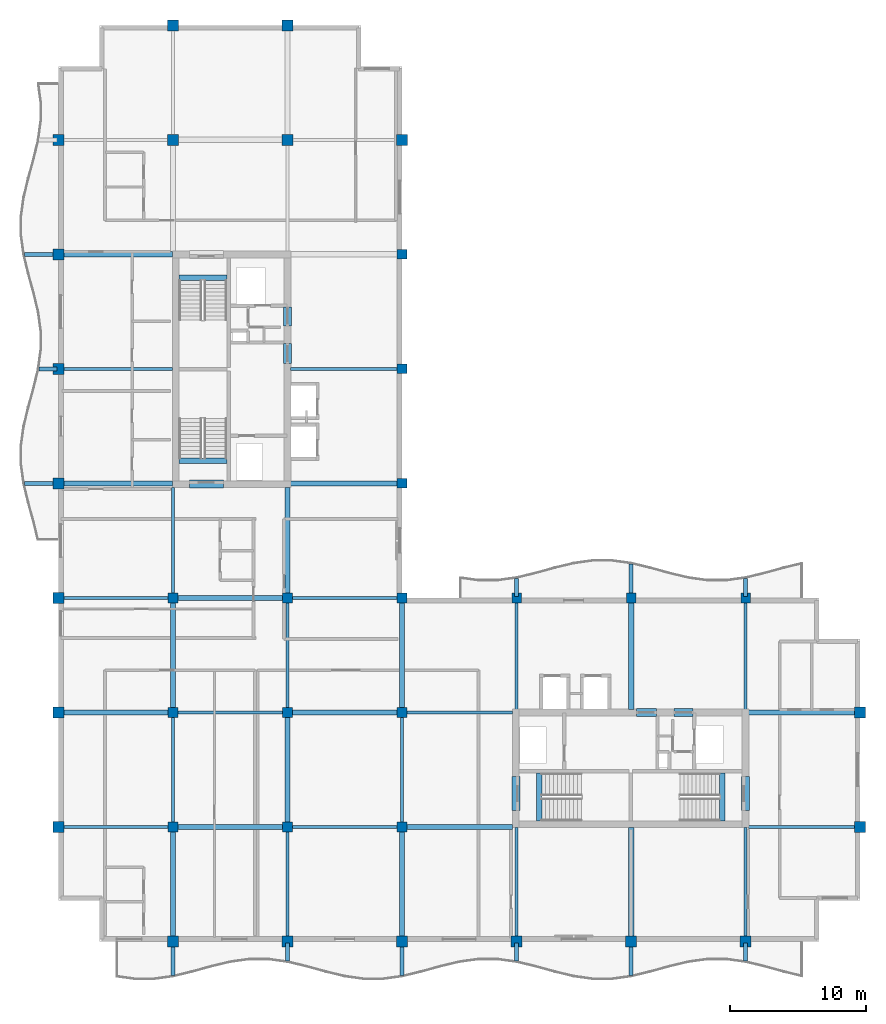
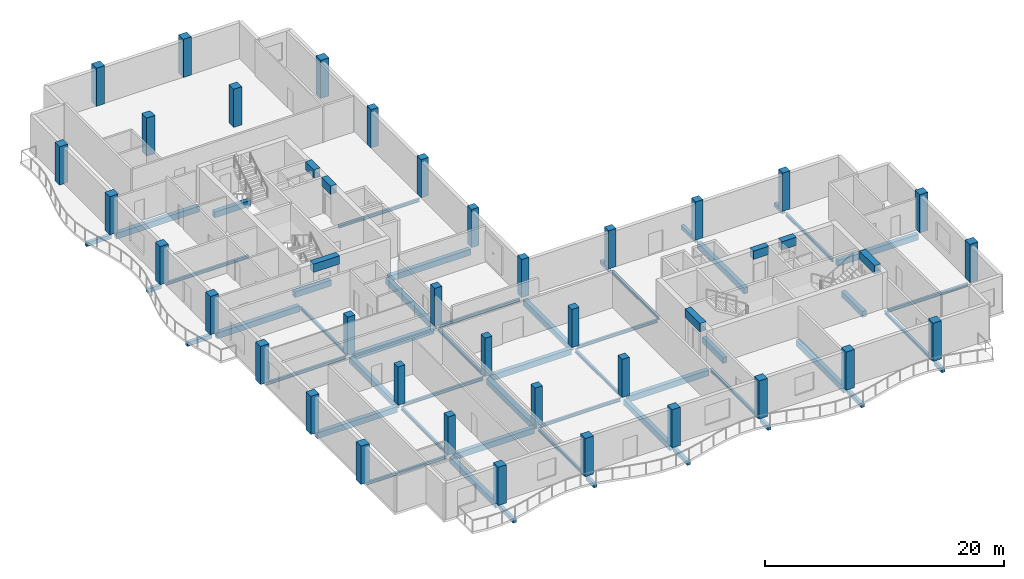
# One storey, part 1 of 11: 58 beams, 35 columns.
"""IFC4 building model written with IfcOpenShell, lengths in metres."""

import ifcopenshell
import ifcopenshell.guid

model = None  # the IFC model being written
_history = None  # IfcOwnerHistory: only IFC2X3 demands one
_inside = {}  # id of a spatial element -> (the spatial element, [elements in it])
_under = {}  # id of a project, library or spatial element -> (it, [spatial elements below it])
_declared = {}  # id of a project -> (the project, [libraries it declares])
_typed = {}  # id of a type object -> (the type object, [elements of that type])
_made_of = {}  # id of a material, layer set ... -> (it, [elements and type objects made of it])


def new_model(schema):
    """Start an empty IFC model of exactly this schema.

    Asked for "IFC4X3", IfcOpenShell would pick the latest addendum, in which some entities
    have other attributes; the version numbers below select the first issue.
    IFC2X3 requires an IfcOwnerHistory on every rooted entity: one is made here for all.
    """
    global model, _history
    if schema == "IFC4X3":
        model = ifcopenshell.file(schema_version=(4, 3, 0, 0))
    else:
        model = ifcopenshell.file(schema=schema)
    _inside.clear()
    _under.clear()
    _declared.clear()
    _typed.clear()
    _made_of.clear()
    _history = None
    if model.schema == "IFC2X3":
        org = make("IfcOrganization", Name="unknown")
        user = make(
            "IfcPersonAndOrganization",
            ThePerson=make("IfcPerson", FamilyName="unknown"),
            TheOrganization=org,
        )
        app = make(
            "IfcApplication",
            ApplicationDeveloper=org,
            Version="unknown",
            ApplicationFullName="unknown",
            ApplicationIdentifier="unknown",
        )
        _history = make(
            "IfcOwnerHistory",
            OwningUser=user,
            OwningApplication=app,
            ChangeAction="ADDED",
            CreationDate=0,
        )
    return model


def make(cls, **values):
    """One entity of the class cls with the attributes given. An attribute that is None is left unset."""
    return model.create_entity(
        cls, **{name: value for name, value in values.items() if value is not None}
    )


def rooted(cls, **values):
    """An entity with a GlobalId (a new one), such as an element, a storey or a relation."""
    return make(cls, GlobalId=ifcopenshell.guid.new(), OwnerHistory=_history, **values)


def si_unit(unit_type, name, prefix=None):
    """IfcSIUnit, for example si_unit("LENGTHUNIT", "METRE", prefix="MILLI")."""
    return make("IfcSIUnit", UnitType=unit_type, Prefix=prefix, Name=name)


def assignment(units):
    """IfcUnitAssignment: the units of a project."""
    return None if units is None else make("IfcUnitAssignment", Units=units)


def point(xyz):
    """IfcCartesianPoint."""
    return None if xyz is None else make("IfcCartesianPoint", Coordinates=xyz)


def direction(xyz):
    """IfcDirection."""
    return None if xyz is None else make("IfcDirection", DirectionRatios=xyz)


def frame(location, z_axis=None, x_axis=None):
    """IfcAxis2Placement3D, a coordinate frame: its origin and axes. An axis left out is left unset."""
    return make(
        "IfcAxis2Placement3D",
        Location=point(location),
        Axis=direction(z_axis),
        RefDirection=direction(x_axis),
    )


def frame_2d(location, x_axis=None):
    """IfcAxis2Placement2D, a coordinate frame in the plane: its origin and x axis."""
    return make(
        "IfcAxis2Placement2D", Location=point(location), RefDirection=direction(x_axis)
    )


def origin():
    """The frame at (0, 0, 0) with its axes left unset."""
    return frame((0.0, 0.0, 0.0))


def origin_2d():
    """The frame at (0, 0) in the plane with its x axis left unset."""
    return frame_2d((0.0, 0.0))


def place(relative_to, where):
    """IfcLocalPlacement: puts the frame where relative to a parent placement (None: the world)."""
    return make(
        "IfcLocalPlacement", PlacementRelTo=relative_to, RelativePlacement=where
    )


def context(
    kind, dimensions, precision=None, world=None, true_north=None, identifier=None
):
    """IfcGeometricRepresentationContext, for example the 3D "Model" context."""
    return make(
        "IfcGeometricRepresentationContext",
        ContextIdentifier=identifier,
        ContextType=kind,
        CoordinateSpaceDimension=dimensions,
        Precision=precision,
        WorldCoordinateSystem=world,
        TrueNorth=true_north,
    )


def subcontext(parent, identifier, kind, view, scale=None):
    """IfcGeometricRepresentationSubContext, for example "Body" below "Model"."""
    return make(
        "IfcGeometricRepresentationSubContext",
        ContextIdentifier=identifier,
        ContextType=kind,
        ParentContext=parent,
        TargetScale=scale,
        TargetView=view,
    )


def project(units=None, contexts=None):
    """IfcProject with its units and contexts."""
    return rooted(
        "IfcProject",
        Name="project",
        RepresentationContexts=contexts,
        UnitsInContext=assignment(units),
    )


def spatial(cls, under=None, at=None, **own):
    """A site, building, storey or space (cls), placed at a placement, below another one or the project."""
    s = rooted(cls, ObjectPlacement=at, **own)
    if under is not None:
        _under.setdefault(under.id(), (under, []))[1].append(s)
    return s


def profile(cls, at=None, kind="AREA", **sizes):
    """A parametric profile (cls). Its sizes go by their IFC names, for example OverallWidth=200.0."""
    return make(cls, ProfileType=kind, Position=at, **sizes)


def rectangle(**sizes):
    """IfcRectangleProfileDef."""
    return profile("IfcRectangleProfileDef", **sizes)


def i_section(**sizes):
    """IfcIShapeProfileDef."""
    return profile("IfcIShapeProfileDef", **sizes)


def extrude(swept, where, along, depth):
    """IfcExtrudedAreaSolid: the profile swept, set in the frame where, extruded along a direction by depth."""
    return make(
        "IfcExtrudedAreaSolid",
        SweptArea=swept,
        Position=where,
        ExtrudedDirection=direction(along),
        Depth=depth,
    )


def shape(context_of_items, identifier, shape_type, items):
    """IfcShapeRepresentation: the items that make up one representation, for example the "Body"."""
    return make(
        "IfcShapeRepresentation",
        ContextOfItems=context_of_items,
        RepresentationIdentifier=identifier,
        RepresentationType=shape_type,
        Items=items,
    )


def material(Name=None, Category=None):
    """IfcMaterial."""
    return make("IfcMaterial", Name=Name, Category=Category)


def material_profile(
    of_material, cross_section, Name=None, Category=None, Priority=None
):
    """IfcMaterialProfile: a cross section and its material."""
    return make(
        "IfcMaterialProfile",
        Name=Name,
        Material=of_material,
        Profile=cross_section,
        Priority=Priority,
        Category=Category,
    )


def profile_set(profiles, Name=None, composite=None):
    """IfcMaterialProfileSet."""
    return make(
        "IfcMaterialProfileSet",
        Name=Name,
        MaterialProfiles=profiles,
        CompositeProfile=composite,
    )


def made_of(thing, what):
    """Note that an element or type object is made of a material, layer set ...; save() writes the relation."""
    if what is not None:
        _made_of.setdefault(what.id(), (what, []))[1].append(thing)
    return thing


def type_object(cls, material=None, **own):
    """A type object (cls), such as IfcWallType, which elements share."""
    return made_of(rooted(cls, **own), material)


def element(
    cls,
    number,
    at=None,
    inside=None,
    cuts=None,
    type_object=None,
    material=None,
    context=None,
    identifier="Body",
    shape_type=None,
    held_by="IfcProductDefinitionShape",
    body=None,
    shapes=None,
    **own,
):
    """One element of the class cls, such as IfcWall. Its Tag is "e" and its number.

    at: its placement. inside: the storey or other place that contains it. cuts: it is an
    opening in that element (IfcRelVoidsElement). A single representation is given by context,
    identifier, shape_type and body (its items); several are given by shapes. held_by: the class
    of the entity that holds the representations. save() writes the other relations.
    """
    e = rooted(cls, Tag="e%d" % number, ObjectPlacement=at, **own)
    if body is not None:
        shapes = [shape(context, identifier, shape_type, body)]
    if shapes is not None:
        e.Representation = make(held_by, Representations=shapes)
    if inside is not None:
        _inside.setdefault(inside.id(), (inside, []))[1].append(e)
    if cuts is not None:
        rooted(
            "IfcRelVoidsElement", RelatingBuildingElement=cuts, RelatedOpeningElement=e
        )
    if type_object is not None:
        _typed.setdefault(type_object.id(), (type_object, []))[1].append(e)
    return made_of(e, material)


def aggregate(whole, parts):
    """IfcRelAggregates: a whole, such as a stair, and the parts it consists of."""
    return rooted("IfcRelAggregates", RelatingObject=whole, RelatedObjects=parts)


def save(model, path):
    """Write the relations noted so far, then the file.

    IfcRelAggregates (storeys below a building ...), IfcRelContainedInSpatialStructure (elements
    in a storey), IfcRelDefinesByType, IfcRelAssociatesMaterial and IfcRelDeclares: one each for
    every whole, place, type object, material and project.
    """
    for whole, parts in _under.values():
        aggregate(whole, parts)
    for where, things in _inside.values():
        rooted(
            "IfcRelContainedInSpatialStructure",
            RelatedElements=things,
            RelatingStructure=where,
        )
    for kind, things in _typed.values():
        rooted("IfcRelDefinesByType", RelatedObjects=things, RelatingType=kind)
    for what, things in _made_of.values():
        rooted("IfcRelAssociatesMaterial", RelatedObjects=things, RelatingMaterial=what)
    for by, libraries in _declared.values():
        rooted("IfcRelDeclares", RelatingContext=by, RelatedDefinitions=libraries)
    model.write(path)


model = new_model("IFC4")

# Units and contexts
model_context = context("Model", 3, precision=1e-05, world=origin(), true_north=direction((0.0, 1.0)))
body_context = subcontext(model_context, "Body", "Model", "MODEL_VIEW")
ifc_project = project(units=[si_unit("LENGTHUNIT", "METRE"), si_unit("AREAUNIT", "SQUARE_METRE"), si_unit("VOLUMEUNIT", "CUBIC_METRE"), si_unit("PLANEANGLEUNIT", "RADIAN"), si_unit("MASSUNIT", "GRAM", prefix="KILO")], contexts=[model_context])

# Site, building, storey
site_placement = place(None, origin())
site = spatial("IfcSite", under=ifc_project, at=site_placement, CompositionType="ELEMENT")
building_placement = place(site_placement, origin())
building = spatial("IfcBuilding", under=site, at=building_placement, Name="Koriwani Terraces Tower", CompositionType="ELEMENT")
storey_placement = place(building_placement, frame((0.0, 0.0, 335.89990234375)))
storey = spatial("IfcBuildingStorey", under=building, at=storey_placement, Name="L83", CompositionType="ELEMENT", Elevation=335.89990234375)

# Columns
ifc_material_1 = material(Name="Concrete C50/60", Category="concrete")
ifc_material_profile_1 = material_profile(ifc_material_1, rectangle(XDim=0.699951171875, YDim=0.699951171875, at=origin_2d()), Name="Concrete C50/60", Category="LoadBearing")
ifc_profile_set_1 = profile_set([ifc_material_profile_1], Name="Concrete C50/60")
column_type_1 = type_object("IfcColumnType", Name="COL_RC_700X700", PredefinedType="COLUMN", material=ifc_profile_set_1)
for number, where, z_axis, x_axis, name in (
    (1, (16.800048828125, 16.800048828125, 0.0), (0.0, 0.0, 1.0), (1.0, 0.0, 0.0), "L83 Column 3/C"),
    (2, (16.800048828125, 25.199951171875, 0.0), (0.0, 0.0, 1.0), (1.0, 0.0, 0.0), "L83 Column 3/D"),
    (3, (16.800048828125, 33.60009765625, 0.0), (0.0, 0.0, 1.0), (1.0, 0.0, 0.0), "L83 Column 3/E"),
    (4, (25.199951171875, 16.800048828125, 0.0), (0.0, 0.0, 1.0), (1.0, 0.0, 0.0), "L83 Column 4/C"),
    (5, (25.199951171875, 25.199951171875, 0.0), (0.0, 0.0, 1.0), (1.0, 0.0, 0.0), "L83 Column 4/D"),
    (6, (25.199951171875, 33.60009765625, 0.0), (0.0, 0.0, 1.0), (1.0, 0.0, 0.0), "L83 Column 4/E"),
    (7, (33.60009765625, 16.800048828125, 0.0), (0.0, 0.0, 1.0), (1.0, 0.0, 0.0), "L83 Column 5/C"),
    (8, (33.60009765625, 25.199951171875, 0.0), (0.0, 0.0, 1.0), (1.0, 0.0, 0.0), "L83 Column 5/D"),
    (9, (33.60009765625, 33.60009765625, 0.0), (0.0, 0.0, 1.0), (1.0, 0.0, 0.0), "L83 Column 5/E"),
    (10, (33.60009765625, 42.0, 0.0), (0.0, 0.0, 1.0), (1.0, 0.0, 0.0), "L83 Column 5/F"),
    (11, (33.60009765625, 50.39990234375, 0.0), (0.0, 0.0, 1.0), (1.0, 0.0, 0.0), "L83 Column 5/G"),
    (12, (33.60009765625, 58.800048828125, 0.0), (0.0, 0.0, 1.0), (1.0, 0.0, 0.0), "L83 Column 5/H"),
    (13, (42.0, 33.60009765625, 0.0), (0.0, 0.0, 1.0), (1.0, 0.0, 0.0), "L83 Column 6/E"),
    (14, (50.39990234375, 33.60009765625, 0.0), (0.0, 0.0, 1.0), (1.0, 0.0, 0.0), "L83 Column 7/E"),
    (15, (58.800048828125, 33.60009765625, 0.0), (0.0, 0.0, 1.0), (1.0, 0.0, 0.0), "L83 Column 8/E"),
):
    element("IfcColumn", number, at=place(storey_placement, frame(where, z_axis=z_axis, x_axis=x_axis)), inside=storey, type_object=column_type_1, Name=name, PredefinedType="COLUMN", context=body_context, shape_type="SweptSolid", body=[
        extrude(rectangle(XDim=0.699951171875, YDim=0.699951171875, at=origin_2d()), origin(), (0.0, 0.0, 1.0), 3.900146484375),
    ])
ifc_material_profile_2 = material_profile(ifc_material_1, rectangle(XDim=0.800048828125, YDim=0.800048828125, at=origin_2d()), Name="Concrete C50/60", Category="LoadBearing")
ifc_profile_set_2 = profile_set([ifc_material_profile_2], Name="Concrete C50/60")
column_type_2 = type_object("IfcColumnType", Name="COL_RC_800X800", PredefinedType="COLUMN", material=ifc_profile_set_2)
for number, where, z_axis, x_axis, name in (
    (16, (8.39990234375, 16.800048828125, 0.0), (0.0, 0.0, 1.0), (1.0, 0.0, 0.0), "L83 Column 2/C"),
    (17, (8.39990234375, 25.199951171875, 0.0), (0.0, 0.0, 1.0), (1.0, 0.0, 0.0), "L83 Column 2/D"),
    (18, (8.39990234375, 33.60009765625, 0.0), (0.0, 0.0, 1.0), (1.0, 0.0, 0.0), "L83 Column 2/E"),
    (19, (8.39990234375, 42.0, 0.0), (0.0, 0.0, 1.0), (1.0, 0.0, 0.0), "L83 Column 2/F"),
    (20, (8.39990234375, 50.39990234375, 0.0), (0.0, 0.0, 1.0), (1.0, 0.0, 0.0), "L83 Column 2/G"),
    (21, (8.39990234375, 58.800048828125, 0.0), (0.0, 0.0, 1.0), (1.0, 0.0, 0.0), "L83 Column 2/H"),
    (22, (8.39990234375, 67.199951171875, 0.0), (0.0, 0.0, 1.0), (1.0, 0.0, 0.0), "L83 Column 2/I"),
    (23, (16.800048828125, 8.39990234375, 0.0), (0.0, 0.0, 1.0), (1.0, 0.0, 0.0), "L83 Column 3/B"),
    (24, (16.800048828125, 67.199951171875, 0.0), (0.0, 0.0, 1.0), (1.0, 0.0, 0.0), "L83 Column 3/I"),
    (25, (16.800048828125, 75.60009765625, 0.0), (0.0, 0.0, 1.0), (1.0, 0.0, 0.0), "L83 Column 3/J"),
    (26, (25.199951171875, 8.39990234375, 0.0), (0.0, 0.0, 1.0), (1.0, 0.0, 0.0), "L83 Column 4/B"),
    (27, (25.199951171875, 67.199951171875, 0.0), (0.0, 0.0, 1.0), (1.0, 0.0, 0.0), "L83 Column 4/I"),
    (28, (25.199951171875, 75.60009765625, 0.0), (0.0, 0.0, 1.0), (1.0, 0.0, 0.0), "L83 Column 4/J"),
    (29, (33.60009765625, 8.39990234375, 0.0), (0.0, 0.0, 1.0), (1.0, 0.0, 0.0), "L83 Column 5/B"),
    (30, (33.60009765625, 67.199951171875, 0.0), (0.0, 0.0, 1.0), (1.0, 0.0, 0.0), "L83 Column 5/I"),
    (31, (42.0, 8.39990234375, 0.0), (0.0, 0.0, 1.0), (1.0, 0.0, 0.0), "L83 Column 6/B"),
    (32, (50.39990234375, 8.39990234375, 0.0), (0.0, 0.0, 1.0), (1.0, 0.0, 0.0), "L83 Column 7/B"),
    (33, (58.800048828125, 8.39990234375, 0.0), (0.0, 0.0, 1.0), (1.0, 0.0, 0.0), "L83 Column 8/B"),
    (34, (67.199951171875, 16.800048828125, 0.0), (0.0, 0.0, 1.0), (1.0, 0.0, 0.0), "L83 Column 9/C"),
    (35, (67.199951171875, 25.199951171875, 0.0), (0.0, 0.0, 1.0), (1.0, 0.0, 0.0), "L83 Column 9/D"),
):
    element("IfcColumn", number, at=place(storey_placement, frame(where, z_axis=z_axis, x_axis=x_axis)), inside=storey, type_object=column_type_2, Name=name, PredefinedType="COLUMN", context=body_context, shape_type="SweptSolid", body=[
        extrude(rectangle(XDim=0.800048828125, YDim=0.800048828125, at=origin_2d()), origin(), (0.0, 0.0, 1.0), 3.900146484375),
    ])

# Beams
ifc_material_2 = material(Name="Concrete C40/50", Category="concrete")
ifc_material_profile_3 = material_profile(ifc_material_2, rectangle(XDim=0.300048828125, YDim=0.39990234375, at=origin_2d()), Name="Concrete C40/50", Category="LoadBearing")
ifc_profile_set_3 = profile_set([ifc_material_profile_3], Name="Concrete C40/50")
beam_type_1 = type_object("IfcBeamType", Name="BEAM_RC_BALCONY_RIB_300X400", PredefinedType="JOIST", material=ifc_profile_set_3)
beam_1_placement = place(storey_placement, frame((16.800048828125, 5.919677734375, -0.429931640625), z_axis=(0.0, 1.0, 0.0), x_axis=(-1.0, 0.0, 0.0)))
element("IfcBeam", 36, at=beam_1_placement, inside=storey, type_object=beam_type_1, Name="L83 Balcony Bracket Rib S-1", PredefinedType="JOIST", context=body_context, shape_type="SweptSolid", body=[
    extrude(rectangle(XDim=0.300048828125, YDim=0.39990234375, at=origin_2d()), origin(), (0.0, 0.0, 1.0), 2.38037109375),
])
beam_2_placement = place(storey_placement, frame((25.199951171875, 6.980224609375, -0.429931640625), z_axis=(0.0, 1.0, 0.0), x_axis=(-1.0, 0.0, 0.0)))
element("IfcBeam", 37, at=beam_2_placement, inside=storey, type_object=beam_type_1, Name="L83 Balcony Bracket Rib S-2", PredefinedType="JOIST", context=body_context, shape_type="SweptSolid", body=[
    extrude(rectangle(XDim=0.300048828125, YDim=0.39990234375, at=origin_2d()), origin(), (0.0, 0.0, 1.0), 1.31982421875),
])
beam_3_placement = place(storey_placement, frame((33.60009765625, 5.919677734375, -0.429931640625), z_axis=(0.0, 1.0, 0.0), x_axis=(-1.0, 0.0, 0.0)))
element("IfcBeam", 38, at=beam_3_placement, inside=storey, type_object=beam_type_1, Name="L83 Balcony Bracket Rib S-3", PredefinedType="JOIST", context=body_context, shape_type="SweptSolid", body=[
    extrude(rectangle(XDim=0.300048828125, YDim=0.39990234375, at=origin_2d()), origin(), (0.0, 0.0, 1.0), 2.38037109375),
])
beam_4_placement = place(storey_placement, frame((42.0, 6.980224609375, -0.429931640625), z_axis=(0.0, 1.0, 0.0), x_axis=(-1.0, 0.0, 0.0)))
element("IfcBeam", 39, at=beam_4_placement, inside=storey, type_object=beam_type_1, Name="L83 Balcony Bracket Rib S-4", PredefinedType="JOIST", context=body_context, shape_type="SweptSolid", body=[
    extrude(rectangle(XDim=0.300048828125, YDim=0.39990234375, at=origin_2d()), origin(), (0.0, 0.0, 1.0), 1.31982421875),
])
beam_5_placement = place(storey_placement, frame((50.39990234375, 5.919677734375, -0.429931640625), z_axis=(0.0, 1.0, 0.0), x_axis=(-1.0, 0.0, 0.0)))
element("IfcBeam", 40, at=beam_5_placement, inside=storey, type_object=beam_type_1, Name="L83 Balcony Bracket Rib S-5", PredefinedType="JOIST", context=body_context, shape_type="SweptSolid", body=[
    extrude(rectangle(XDim=0.300048828125, YDim=0.39990234375, at=origin_2d()), origin(), (0.0, 0.0, 1.0), 2.38037109375),
])
beam_6_placement = place(storey_placement, frame((58.800048828125, 6.980224609375, -0.429931640625), z_axis=(0.0, 1.0, 0.0), x_axis=(-1.0, 0.0, 0.0)))
element("IfcBeam", 41, at=beam_6_placement, inside=storey, type_object=beam_type_1, Name="L83 Balcony Bracket Rib S-6", PredefinedType="JOIST", context=body_context, shape_type="SweptSolid", body=[
    extrude(rectangle(XDim=0.300048828125, YDim=0.39990234375, at=origin_2d()), origin(), (0.0, 0.0, 1.0), 1.31982421875),
])
beam_7_placement = place(storey_placement, frame((5.919677734375, 42.0, -0.429931640625), z_axis=(1.0, 0.0, 0.0), x_axis=(0.0, 1.0, 0.0)))
element("IfcBeam", 42, at=beam_7_placement, inside=storey, type_object=beam_type_1, Name="L83 Balcony Bracket Rib W-1", PredefinedType="JOIST", context=body_context, shape_type="SweptSolid", body=[
    extrude(rectangle(XDim=0.300048828125, YDim=0.39990234375, at=origin_2d()), origin(), (0.0, 0.0, 1.0), 2.38037109375),
])
beam_8_placement = place(storey_placement, frame((6.980224609375, 50.39990234375, -0.429931640625), z_axis=(1.0, 0.0, 0.0), x_axis=(0.0, 1.0, 0.0)))
element("IfcBeam", 43, at=beam_8_placement, inside=storey, type_object=beam_type_1, Name="L83 Balcony Bracket Rib W-2", PredefinedType="JOIST", context=body_context, shape_type="SweptSolid", body=[
    extrude(rectangle(XDim=0.300048828125, YDim=0.39990234375, at=origin_2d()), origin(), (0.0, 0.0, 1.0), 1.31982421875),
])
beam_9_placement = place(storey_placement, frame((5.919677734375, 58.800048828125, -0.429931640625), z_axis=(1.0, 0.0, 0.0), x_axis=(0.0, 1.0, 0.0)))
element("IfcBeam", 44, at=beam_9_placement, inside=storey, type_object=beam_type_1, Name="L83 Balcony Bracket Rib W-3", PredefinedType="JOIST", context=body_context, shape_type="SweptSolid", body=[
    extrude(rectangle(XDim=0.300048828125, YDim=0.39990234375, at=origin_2d()), origin(), (0.0, 0.0, 1.0), 2.38037109375),
])
beam_10_placement = place(storey_placement, frame((42.0, 33.699951171875, -0.429931640625), z_axis=(0.0, 1.0, 0.0), x_axis=(-1.0, 0.0, 0.0)))
element("IfcBeam", 45, at=beam_10_placement, inside=storey, type_object=beam_type_1, Name="L83 Balcony Bracket Rib NE-1", PredefinedType="JOIST", context=body_context, shape_type="SweptSolid", body=[
    extrude(rectangle(XDim=0.300048828125, YDim=0.39990234375, at=origin_2d()), origin(), (0.0, 0.0, 1.0), 1.31982421875),
])
beam_11_placement = place(storey_placement, frame((50.39990234375, 33.699951171875, -0.429931640625), z_axis=(0.0, 1.0, 0.0), x_axis=(-1.0, 0.0, 0.0)))
element("IfcBeam", 46, at=beam_11_placement, inside=storey, type_object=beam_type_1, Name="L83 Balcony Bracket Rib NE-2", PredefinedType="JOIST", context=body_context, shape_type="SweptSolid", body=[
    extrude(rectangle(XDim=0.300048828125, YDim=0.39990234375, at=origin_2d()), origin(), (0.0, 0.0, 1.0), 2.38037109375),
])
beam_12_placement = place(storey_placement, frame((58.800048828125, 33.699951171875, -0.429931640625), z_axis=(0.0, 1.0, 0.0), x_axis=(-1.0, 0.0, 0.0)))
element("IfcBeam", 47, at=beam_12_placement, inside=storey, type_object=beam_type_1, Name="L83 Balcony Bracket Rib NE-3", PredefinedType="JOIST", context=body_context, shape_type="SweptSolid", body=[
    extrude(rectangle(XDim=0.300048828125, YDim=0.39990234375, at=origin_2d()), origin(), (0.0, 0.0, 1.0), 1.31982421875),
])
ifc_material_profile_4 = material_profile(ifc_material_1, rectangle(XDim=0.60009765625, YDim=0.85009765625, at=origin_2d()), Name="Concrete C50/60", Category="LoadBearing")
ifc_profile_set_4 = profile_set([ifc_material_profile_4], Name="Concrete C50/60")
beam_type_2 = type_object("IfcBeamType", Name="BEAM_RC_COUPLING_600X850", PredefinedType="LINTEL", material=ifc_profile_set_4)
beam_13_placement = place(storey_placement, frame((25.199951171875, 50.800048828125, 3.2451171875), z_axis=(0.0, 1.0, 0.0), x_axis=(-1.0, 0.0, 0.0)))
element("IfcBeam", 48, at=beam_13_placement, inside=storey, type_object=beam_type_2, Name="L83 Core Coupling Lintel Beam WE1", PredefinedType="LINTEL", context=body_context, shape_type="SweptSolid", body=[
    extrude(rectangle(XDim=0.60009765625, YDim=0.85009765625, at=origin_2d()), origin(), (0.0, 0.0, 1.0), 1.47998046875),
])
beam_14_placement = place(storey_placement, frame((25.199951171875, 53.550048828125, 3.2451171875), z_axis=(0.0, 1.0, 0.0), x_axis=(-1.0, 0.0, 0.0)))
element("IfcBeam", 49, at=beam_14_placement, inside=storey, type_object=beam_type_2, Name="L83 Core Coupling Lintel Beam WE2", PredefinedType="LINTEL", context=body_context, shape_type="SweptSolid", body=[
    extrude(rectangle(XDim=0.60009765625, YDim=0.85009765625, at=origin_2d()), origin(), (0.0, 0.0, 1.0), 1.39990234375),
])
beam_15_placement = place(storey_placement, frame((18.0, 41.949951171875, 3.2451171875), z_axis=(1.0, 0.0, 0.0), x_axis=(0.0, 1.0, 0.0)))
element("IfcBeam", 50, at=beam_15_placement, inside=storey, type_object=beam_type_2, Name="L83 Core Coupling Lintel Beam WS", PredefinedType="LINTEL", context=body_context, shape_type="SweptSolid", body=[
    extrude(rectangle(XDim=0.60009765625, YDim=0.85009765625, at=origin_2d()), origin(), (0.0, 0.0, 1.0), 2.5),
])
beam_16_placement = place(storey_placement, frame((50.800048828125, 25.199951171875, 3.2451171875), z_axis=(1.0, 0.0, 0.0), x_axis=(0.0, 1.0, 0.0)))
element("IfcBeam", 51, at=beam_16_placement, inside=storey, type_object=beam_type_2, Name="L83 Core Coupling Lintel Beam EN1", PredefinedType="LINTEL", context=body_context, shape_type="SweptSolid", body=[
    extrude(rectangle(XDim=0.60009765625, YDim=0.85009765625, at=origin_2d()), origin(), (0.0, 0.0, 1.0), 1.47998046875),
])
beam_17_placement = place(storey_placement, frame((53.550048828125, 25.199951171875, 3.2451171875), z_axis=(1.0, 0.0, 0.0), x_axis=(0.0, 1.0, 0.0)))
element("IfcBeam", 52, at=beam_17_placement, inside=storey, type_object=beam_type_2, Name="L83 Core Coupling Lintel Beam EN2", PredefinedType="LINTEL", context=body_context, shape_type="SweptSolid", body=[
    extrude(rectangle(XDim=0.60009765625, YDim=0.85009765625, at=origin_2d()), origin(), (0.0, 0.0, 1.0), 1.39990234375),
])
for number, where, z_axis, x_axis, name in (
    (53, (41.949951171875, 18.0, 3.2451171875), (0.0, 1.0, 0.0), (-1.0, 0.0, 0.0), "L83 Core Coupling Lintel Beam EW"),
    (54, (58.800048828125, 18.0, 3.2451171875), (0.0, 1.0, 0.0), (-1.0, 0.0, 0.0), "L83 Core Coupling Lintel Beam EE"),
):
    element("IfcBeam", number, at=place(storey_placement, frame(where, z_axis=z_axis, x_axis=x_axis)), inside=storey, type_object=beam_type_2, Name=name, PredefinedType="LINTEL", context=body_context, shape_type="SweptSolid", body=[
        extrude(rectangle(XDim=0.60009765625, YDim=0.85009765625, at=origin_2d()), origin(), (0.0, 0.0, 1.0), 2.5),
    ])
ifc_material_profile_5 = material_profile(ifc_material_2, rectangle(XDim=0.39990234375, YDim=0.60009765625, at=origin_2d()), Name="Concrete C40/50", Category="LoadBearing")
ifc_profile_set_5 = profile_set([ifc_material_profile_5], Name="Concrete C40/50")
beam_type_3 = type_object("IfcBeamType", Name="BEAM_RC_GRID_400X600", PredefinedType="BEAM", material=ifc_profile_set_5)
for number, where, z_axis, x_axis, name in (
    (55, (17.25, 43.655029296875, -0.2998046875), (1.0, 0.0, 0.0), (0.0, 1.0, 0.0), "L83 Stairwell Header Trimmer Beam ST-W1"),
    (56, (17.25, 57.094970703125, -0.2998046875), (1.0, 0.0, 0.0), (0.0, 1.0, 0.0), "L83 Stairwell Header Trimmer Beam ST-W2"),
    (57, (43.655029296875, 17.25, -0.2998046875), (0.0, 1.0, 0.0), (-1.0, 0.0, 0.0), "L83 Stairwell Header Trimmer Beam ST-E1"),
    (58, (57.094970703125, 17.25, -0.2998046875), (0.0, 1.0, 0.0), (-1.0, 0.0, 0.0), "L83 Stairwell Header Trimmer Beam ST-E2"),
):
    element("IfcBeam", number, at=place(storey_placement, frame(where, z_axis=z_axis, x_axis=x_axis)), inside=storey, type_object=beam_type_3, Name=name, PredefinedType="BEAM", context=body_context, shape_type="SweptSolid", body=[
        extrude(rectangle(XDim=0.39990234375, YDim=0.60009765625, at=origin_2d()), origin(), (0.0, 0.0, 1.0), 3.5),
    ])
beam_18_placement = place(storey_placement, frame((17.1298828125, 16.800048828125, -0.52978515625), z_axis=(1.0, 0.0, 0.0), x_axis=(0.0, 1.0, 0.0)))
element("IfcBeam", 59, at=beam_18_placement, inside=storey, type_object=beam_type_3, Name="L83 Grid Beam C (16.8-25.2m)", PredefinedType="BEAM", context=body_context, shape_type="SweptSolid", body=[
    extrude(rectangle(XDim=0.39990234375, YDim=0.60009765625, at=origin_2d()), origin(), (0.0, 0.0, 1.0), 7.740234375),
])
beam_19_placement = place(storey_placement, frame((33.929931640625, 16.800048828125, -0.52978515625), z_axis=(1.0, 0.0, 0.0), x_axis=(0.0, 1.0, 0.0)))
element("IfcBeam", 60, at=beam_19_placement, inside=storey, type_object=beam_type_3, Name="L83 Grid Beam C (33.6-42.0m)", PredefinedType="BEAM", context=body_context, shape_type="SweptSolid", body=[
    extrude(rectangle(XDim=0.39990234375, YDim=0.60009765625, at=origin_2d()), origin(), (0.0, 0.0, 1.0), 7.7900390625),
])
beam_20_placement = place(storey_placement, frame((8.780029296875, 25.199951171875, -0.52978515625), z_axis=(1.0, 0.0, 0.0), x_axis=(0.0, 1.0, 0.0)))
element("IfcBeam", 61, at=beam_20_placement, inside=storey, type_object=beam_type_3, Name="L83 Grid Beam D (8.4-16.8m)", PredefinedType="BEAM", context=body_context, shape_type="SweptSolid", body=[
    extrude(rectangle(XDim=0.39990234375, YDim=0.60009765625, at=origin_2d()), origin(), (0.0, 0.0, 1.0), 7.68994140625),
])
beam_21_placement = place(storey_placement, frame((25.530029296875, 25.199951171875, -0.52978515625), z_axis=(1.0, 0.0, 0.0), x_axis=(0.0, 1.0, 0.0)))
element("IfcBeam", 62, at=beam_21_placement, inside=storey, type_object=beam_type_3, Name="L83 Grid Beam D (25.2-33.6m)", PredefinedType="BEAM", context=body_context, shape_type="SweptSolid", body=[
    extrude(rectangle(XDim=0.39990234375, YDim=0.60009765625, at=origin_2d()), origin(), (0.0, 0.0, 1.0), 7.739990234375),
])
beam_22_placement = place(storey_placement, frame((59.030029296875, 25.199951171875, -0.52978515625), z_axis=(1.0, 0.0, 0.0), x_axis=(0.0, 1.0, 0.0)))
element("IfcBeam", 63, at=beam_22_placement, inside=storey, type_object=beam_type_3, Name="L83 Grid Beam D (58.8-67.2m)", PredefinedType="BEAM", context=body_context, shape_type="SweptSolid", body=[
    extrude(rectangle(XDim=0.39990234375, YDim=0.60009765625, at=origin_2d()), origin(), (0.0, 0.0, 1.0), 7.7900390625),
])
beam_23_placement = place(storey_placement, frame((17.1298828125, 33.60009765625, -0.52978515625), z_axis=(1.0, 0.0, 0.0), x_axis=(0.0, 1.0, 0.0)))
element("IfcBeam", 64, at=beam_23_placement, inside=storey, type_object=beam_type_3, Name="L83 Grid Beam E (16.8-25.2m)", PredefinedType="BEAM", context=body_context, shape_type="SweptSolid", body=[
    extrude(rectangle(XDim=0.39990234375, YDim=0.60009765625, at=origin_2d()), origin(), (0.0, 0.0, 1.0), 7.740234375),
])
beam_24_placement = place(storey_placement, frame((8.780029296875, 42.0, -0.52978515625), z_axis=(1.0, 0.0, 0.0), x_axis=(0.0, 1.0, 0.0)))
element("IfcBeam", 65, at=beam_24_placement, inside=storey, type_object=beam_type_3, Name="L83 Grid Beam F (8.4-16.8m)", PredefinedType="BEAM", context=body_context, shape_type="SweptSolid", body=[
    extrude(rectangle(XDim=0.39990234375, YDim=0.60009765625, at=origin_2d()), origin(), (0.0, 0.0, 1.0), 7.989990234375),
])
beam_25_placement = place(storey_placement, frame((25.429931640625, 42.0, -0.52978515625), z_axis=(1.0, 0.0, 0.0), x_axis=(0.0, 1.0, 0.0)))
element("IfcBeam", 66, at=beam_25_placement, inside=storey, type_object=beam_type_3, Name="L83 Grid Beam F (25.2-33.6m)", PredefinedType="BEAM", context=body_context, shape_type="SweptSolid", body=[
    extrude(rectangle(XDim=0.39990234375, YDim=0.60009765625, at=origin_2d()), origin(), (0.0, 0.0, 1.0), 7.840087890625),
])
beam_26_placement = place(storey_placement, frame((8.780029296875, 58.800048828125, -0.52978515625), z_axis=(1.0, 0.0, 0.0), x_axis=(0.0, 1.0, 0.0)))
element("IfcBeam", 67, at=beam_26_placement, inside=storey, type_object=beam_type_3, Name="L83 Grid Beam H (8.4-16.8m)", PredefinedType="BEAM", context=body_context, shape_type="SweptSolid", body=[
    extrude(rectangle(XDim=0.39990234375, YDim=0.60009765625, at=origin_2d()), origin(), (0.0, 0.0, 1.0), 7.989990234375),
])
beam_27_placement = place(storey_placement, frame((16.800048828125, 8.780029296875, -0.52978515625), z_axis=(0.0, 1.0, 0.0), x_axis=(-1.0, 0.0, 0.0)))
element("IfcBeam", 68, at=beam_27_placement, inside=storey, type_object=beam_type_3, Name="L83 Grid Beam 3 (8.4-16.8m)", PredefinedType="BEAM", context=body_context, shape_type="SweptSolid", body=[
    extrude(rectangle(XDim=0.39990234375, YDim=0.60009765625, at=origin_2d()), origin(), (0.0, 0.0, 1.0), 7.68994140625),
])
beam_28_placement = place(storey_placement, frame((16.800048828125, 25.530029296875, -0.52978515625), z_axis=(0.0, 1.0, 0.0), x_axis=(-1.0, 0.0, 0.0)))
element("IfcBeam", 69, at=beam_28_placement, inside=storey, type_object=beam_type_3, Name="L83 Grid Beam 3 (25.2-33.6m)", PredefinedType="BEAM", context=body_context, shape_type="SweptSolid", body=[
    extrude(rectangle(XDim=0.39990234375, YDim=0.60009765625, at=origin_2d()), origin(), (0.0, 0.0, 1.0), 7.739990234375),
])
beam_29_placement = place(storey_placement, frame((25.199951171875, 17.1298828125, -0.52978515625), z_axis=(0.0, 1.0, 0.0), x_axis=(-1.0, 0.0, 0.0)))
element("IfcBeam", 70, at=beam_29_placement, inside=storey, type_object=beam_type_3, Name="L83 Grid Beam 4 (16.8-25.2m)", PredefinedType="BEAM", context=body_context, shape_type="SweptSolid", body=[
    extrude(rectangle(XDim=0.39990234375, YDim=0.60009765625, at=origin_2d()), origin(), (0.0, 0.0, 1.0), 7.740234375),
])
beam_30_placement = place(storey_placement, frame((25.199951171875, 33.929931640625, -0.52978515625), z_axis=(0.0, 1.0, 0.0), x_axis=(-1.0, 0.0, 0.0)))
element("IfcBeam", 71, at=beam_30_placement, inside=storey, type_object=beam_type_3, Name="L83 Grid Beam 4 (33.6-42.0m)", PredefinedType="BEAM", context=body_context, shape_type="SweptSolid", body=[
    extrude(rectangle(XDim=0.39990234375, YDim=0.60009765625, at=origin_2d()), origin(), (0.0, 0.0, 1.0), 7.7900390625),
])
beam_31_placement = place(storey_placement, frame((33.60009765625, 8.780029296875, -0.52978515625), z_axis=(0.0, 1.0, 0.0), x_axis=(-1.0, 0.0, 0.0)))
element("IfcBeam", 72, at=beam_31_placement, inside=storey, type_object=beam_type_3, Name="L83 Grid Beam 5 (8.4-16.8m)", PredefinedType="BEAM", context=body_context, shape_type="SweptSolid", body=[
    extrude(rectangle(XDim=0.39990234375, YDim=0.60009765625, at=origin_2d()), origin(), (0.0, 0.0, 1.0), 7.68994140625),
])
beam_32_placement = place(storey_placement, frame((33.60009765625, 25.530029296875, -0.52978515625), z_axis=(0.0, 1.0, 0.0), x_axis=(-1.0, 0.0, 0.0)))
element("IfcBeam", 73, at=beam_32_placement, inside=storey, type_object=beam_type_3, Name="L83 Grid Beam 5 (25.2-33.6m)", PredefinedType="BEAM", context=body_context, shape_type="SweptSolid", body=[
    extrude(rectangle(XDim=0.39990234375, YDim=0.60009765625, at=origin_2d()), origin(), (0.0, 0.0, 1.0), 7.739990234375),
])
beam_33_placement = place(storey_placement, frame((50.39990234375, 8.780029296875, -0.52978515625), z_axis=(0.0, 1.0, 0.0), x_axis=(-1.0, 0.0, 0.0)))
element("IfcBeam", 74, at=beam_33_placement, inside=storey, type_object=beam_type_3, Name="L83 Grid Beam 7 (8.4-16.8m)", PredefinedType="BEAM", context=body_context, shape_type="SweptSolid", body=[
    extrude(rectangle(XDim=0.39990234375, YDim=0.60009765625, at=origin_2d()), origin(), (0.0, 0.0, 1.0), 7.989990234375),
])
beam_34_placement = place(storey_placement, frame((50.39990234375, 25.429931640625, -0.52978515625), z_axis=(0.0, 1.0, 0.0), x_axis=(-1.0, 0.0, 0.0)))
element("IfcBeam", 75, at=beam_34_placement, inside=storey, type_object=beam_type_3, Name="L83 Grid Beam 7 (25.2-33.6m)", PredefinedType="BEAM", context=body_context, shape_type="SweptSolid", body=[
    extrude(rectangle(XDim=0.39990234375, YDim=0.60009765625, at=origin_2d()), origin(), (0.0, 0.0, 1.0), 7.840087890625),
])
ifc_material_3 = material(Name="Steel ASTM A572 Grade 50", Category="steel")
ifc_material_profile_6 = material_profile(ifc_material_3, i_section(OverallWidth=0.205078125, OverallDepth=0.31005859375, WebThickness=0.009521484375, FlangeThickness=0.016357421875, at=origin_2d()), Name="Steel ASTM A572 Grade 50", Category="LoadBearing")
ifc_profile_set_6 = profile_set([ifc_material_profile_6], Name="Steel ASTM A572 Grade 50")
beam_type_4 = type_object("IfcBeamType", Name="STEEL_BEAM_W310X74", PredefinedType="JOIST", material=ifc_profile_set_6)
beam_35_placement = place(storey_placement, frame((8.780029296875, 16.800048828125, -0.385009765625), z_axis=(1.0, 0.0, 0.0), x_axis=(0.0, 1.0, 0.0)))
element("IfcBeam", 76, at=beam_35_placement, inside=storey, type_object=beam_type_4, Name="L83 Grid Beam C (8.4-16.8m)", PredefinedType="JOIST", context=body_context, shape_type="SweptSolid", body=[
    extrude(i_section(OverallWidth=0.205078125, OverallDepth=0.31005859375, WebThickness=0.009521484375, FlangeThickness=0.016357421875, at=origin_2d()), origin(), (0.0, 0.0, 1.0), 7.68994140625),
])
beam_36_placement = place(storey_placement, frame((25.530029296875, 16.800048828125, -0.385009765625), z_axis=(1.0, 0.0, 0.0), x_axis=(0.0, 1.0, 0.0)))
element("IfcBeam", 77, at=beam_36_placement, inside=storey, type_object=beam_type_4, Name="L83 Grid Beam C (25.2-33.6m)", PredefinedType="JOIST", context=body_context, shape_type="SweptSolid", body=[
    extrude(i_section(OverallWidth=0.205078125, OverallDepth=0.31005859375, WebThickness=0.009521484375, FlangeThickness=0.016357421875, at=origin_2d()), origin(), (0.0, 0.0, 1.0), 7.739990234375),
])
beam_37_placement = place(storey_placement, frame((59.030029296875, 16.800048828125, -0.385009765625), z_axis=(1.0, 0.0, 0.0), x_axis=(0.0, 1.0, 0.0)))
element("IfcBeam", 78, at=beam_37_placement, inside=storey, type_object=beam_type_4, Name="L83 Grid Beam C (58.8-67.2m)", PredefinedType="JOIST", context=body_context, shape_type="SweptSolid", body=[
    extrude(i_section(OverallWidth=0.205078125, OverallDepth=0.31005859375, WebThickness=0.009521484375, FlangeThickness=0.016357421875, at=origin_2d()), origin(), (0.0, 0.0, 1.0), 7.7900390625),
])
beam_38_placement = place(storey_placement, frame((17.1298828125, 25.199951171875, -0.385009765625), z_axis=(1.0, 0.0, 0.0), x_axis=(0.0, 1.0, 0.0)))
element("IfcBeam", 79, at=beam_38_placement, inside=storey, type_object=beam_type_4, Name="L83 Grid Beam D (16.8-25.2m)", PredefinedType="JOIST", context=body_context, shape_type="SweptSolid", body=[
    extrude(i_section(OverallWidth=0.205078125, OverallDepth=0.31005859375, WebThickness=0.009521484375, FlangeThickness=0.016357421875, at=origin_2d()), origin(), (0.0, 0.0, 1.0), 7.740234375),
])
beam_39_placement = place(storey_placement, frame((33.929931640625, 25.199951171875, -0.385009765625), z_axis=(1.0, 0.0, 0.0), x_axis=(0.0, 1.0, 0.0)))
element("IfcBeam", 80, at=beam_39_placement, inside=storey, type_object=beam_type_4, Name="L83 Grid Beam D (33.6-42.0m)", PredefinedType="JOIST", context=body_context, shape_type="SweptSolid", body=[
    extrude(i_section(OverallWidth=0.205078125, OverallDepth=0.31005859375, WebThickness=0.009521484375, FlangeThickness=0.016357421875, at=origin_2d()), origin(), (0.0, 0.0, 1.0), 7.7900390625),
])
beam_40_placement = place(storey_placement, frame((8.780029296875, 33.60009765625, -0.385009765625), z_axis=(1.0, 0.0, 0.0), x_axis=(0.0, 1.0, 0.0)))
element("IfcBeam", 81, at=beam_40_placement, inside=storey, type_object=beam_type_4, Name="L83 Grid Beam E (8.4-16.8m)", PredefinedType="JOIST", context=body_context, shape_type="SweptSolid", body=[
    extrude(i_section(OverallWidth=0.205078125, OverallDepth=0.31005859375, WebThickness=0.009521484375, FlangeThickness=0.016357421875, at=origin_2d()), origin(), (0.0, 0.0, 1.0), 7.68994140625),
])
beam_41_placement = place(storey_placement, frame((25.530029296875, 33.60009765625, -0.385009765625), z_axis=(1.0, 0.0, 0.0), x_axis=(0.0, 1.0, 0.0)))
element("IfcBeam", 82, at=beam_41_placement, inside=storey, type_object=beam_type_4, Name="L83 Grid Beam E (25.2-33.6m)", PredefinedType="JOIST", context=body_context, shape_type="SweptSolid", body=[
    extrude(i_section(OverallWidth=0.205078125, OverallDepth=0.31005859375, WebThickness=0.009521484375, FlangeThickness=0.016357421875, at=origin_2d()), origin(), (0.0, 0.0, 1.0), 7.739990234375),
])
beam_42_placement = place(storey_placement, frame((8.780029296875, 50.39990234375, -0.385009765625), z_axis=(1.0, 0.0, 0.0), x_axis=(0.0, 1.0, 0.0)))
element("IfcBeam", 83, at=beam_42_placement, inside=storey, type_object=beam_type_4, Name="L83 Grid Beam G (8.4-16.8m)", PredefinedType="JOIST", context=body_context, shape_type="SweptSolid", body=[
    extrude(i_section(OverallWidth=0.205078125, OverallDepth=0.31005859375, WebThickness=0.009521484375, FlangeThickness=0.016357421875, at=origin_2d()), origin(), (0.0, 0.0, 1.0), 7.989990234375),
])
beam_43_placement = place(storey_placement, frame((25.429931640625, 50.39990234375, -0.385009765625), z_axis=(1.0, 0.0, 0.0), x_axis=(0.0, 1.0, 0.0)))
element("IfcBeam", 84, at=beam_43_placement, inside=storey, type_object=beam_type_4, Name="L83 Grid Beam G (25.2-33.6m)", PredefinedType="JOIST", context=body_context, shape_type="SweptSolid", body=[
    extrude(i_section(OverallWidth=0.205078125, OverallDepth=0.31005859375, WebThickness=0.009521484375, FlangeThickness=0.016357421875, at=origin_2d()), origin(), (0.0, 0.0, 1.0), 7.840087890625),
])
beam_44_placement = place(storey_placement, frame((16.800048828125, 17.1298828125, -0.385009765625), z_axis=(0.0, 1.0, 0.0), x_axis=(-1.0, 0.0, 0.0)))
element("IfcBeam", 85, at=beam_44_placement, inside=storey, type_object=beam_type_4, Name="L83 Grid Beam 3 (16.8-25.2m)", PredefinedType="JOIST", context=body_context, shape_type="SweptSolid", body=[
    extrude(i_section(OverallWidth=0.205078125, OverallDepth=0.31005859375, WebThickness=0.009521484375, FlangeThickness=0.016357421875, at=origin_2d()), origin(), (0.0, 0.0, 1.0), 7.740234375),
])
beam_45_placement = place(storey_placement, frame((16.800048828125, 33.929931640625, -0.385009765625), z_axis=(0.0, 1.0, 0.0), x_axis=(-1.0, 0.0, 0.0)))
element("IfcBeam", 86, at=beam_45_placement, inside=storey, type_object=beam_type_4, Name="L83 Grid Beam 3 (33.6-42.0m)", PredefinedType="JOIST", context=body_context, shape_type="SweptSolid", body=[
    extrude(i_section(OverallWidth=0.205078125, OverallDepth=0.31005859375, WebThickness=0.009521484375, FlangeThickness=0.016357421875, at=origin_2d()), origin(), (0.0, 0.0, 1.0), 7.7900390625),
])
beam_46_placement = place(storey_placement, frame((25.199951171875, 8.780029296875, -0.385009765625), z_axis=(0.0, 1.0, 0.0), x_axis=(-1.0, 0.0, 0.0)))
element("IfcBeam", 87, at=beam_46_placement, inside=storey, type_object=beam_type_4, Name="L83 Grid Beam 4 (8.4-16.8m)", PredefinedType="JOIST", context=body_context, shape_type="SweptSolid", body=[
    extrude(i_section(OverallWidth=0.205078125, OverallDepth=0.31005859375, WebThickness=0.009521484375, FlangeThickness=0.016357421875, at=origin_2d()), origin(), (0.0, 0.0, 1.0), 7.68994140625),
])
beam_47_placement = place(storey_placement, frame((25.199951171875, 25.530029296875, -0.385009765625), z_axis=(0.0, 1.0, 0.0), x_axis=(-1.0, 0.0, 0.0)))
element("IfcBeam", 88, at=beam_47_placement, inside=storey, type_object=beam_type_4, Name="L83 Grid Beam 4 (25.2-33.6m)", PredefinedType="JOIST", context=body_context, shape_type="SweptSolid", body=[
    extrude(i_section(OverallWidth=0.205078125, OverallDepth=0.31005859375, WebThickness=0.009521484375, FlangeThickness=0.016357421875, at=origin_2d()), origin(), (0.0, 0.0, 1.0), 7.739990234375),
])
beam_48_placement = place(storey_placement, frame((33.60009765625, 17.1298828125, -0.385009765625), z_axis=(0.0, 1.0, 0.0), x_axis=(-1.0, 0.0, 0.0)))
element("IfcBeam", 89, at=beam_48_placement, inside=storey, type_object=beam_type_4, Name="L83 Grid Beam 5 (16.8-25.2m)", PredefinedType="JOIST", context=body_context, shape_type="SweptSolid", body=[
    extrude(i_section(OverallWidth=0.205078125, OverallDepth=0.31005859375, WebThickness=0.009521484375, FlangeThickness=0.016357421875, at=origin_2d()), origin(), (0.0, 0.0, 1.0), 7.740234375),
])
beam_49_placement = place(storey_placement, frame((42.0, 8.780029296875, -0.385009765625), z_axis=(0.0, 1.0, 0.0), x_axis=(-1.0, 0.0, 0.0)))
element("IfcBeam", 90, at=beam_49_placement, inside=storey, type_object=beam_type_4, Name="L83 Grid Beam 6 (8.4-16.8m)", PredefinedType="JOIST", context=body_context, shape_type="SweptSolid", body=[
    extrude(i_section(OverallWidth=0.205078125, OverallDepth=0.31005859375, WebThickness=0.009521484375, FlangeThickness=0.016357421875, at=origin_2d()), origin(), (0.0, 0.0, 1.0), 7.989990234375),
])
beam_50_placement = place(storey_placement, frame((42.0, 25.429931640625, -0.385009765625), z_axis=(0.0, 1.0, 0.0), x_axis=(-1.0, 0.0, 0.0)))
element("IfcBeam", 91, at=beam_50_placement, inside=storey, type_object=beam_type_4, Name="L83 Grid Beam 6 (25.2-33.6m)", PredefinedType="JOIST", context=body_context, shape_type="SweptSolid", body=[
    extrude(i_section(OverallWidth=0.205078125, OverallDepth=0.31005859375, WebThickness=0.009521484375, FlangeThickness=0.016357421875, at=origin_2d()), origin(), (0.0, 0.0, 1.0), 7.840087890625),
])
beam_51_placement = place(storey_placement, frame((58.800048828125, 8.780029296875, -0.385009765625), z_axis=(0.0, 1.0, 0.0), x_axis=(-1.0, 0.0, 0.0)))
element("IfcBeam", 92, at=beam_51_placement, inside=storey, type_object=beam_type_4, Name="L83 Grid Beam 8 (8.4-16.8m)", PredefinedType="JOIST", context=body_context, shape_type="SweptSolid", body=[
    extrude(i_section(OverallWidth=0.205078125, OverallDepth=0.31005859375, WebThickness=0.009521484375, FlangeThickness=0.016357421875, at=origin_2d()), origin(), (0.0, 0.0, 1.0), 7.989990234375),
])
beam_52_placement = place(storey_placement, frame((58.800048828125, 25.429931640625, -0.385009765625), z_axis=(0.0, 1.0, 0.0), x_axis=(-1.0, 0.0, 0.0)))
element("IfcBeam", 93, at=beam_52_placement, inside=storey, type_object=beam_type_4, Name="L83 Grid Beam 8 (25.2-33.6m)", PredefinedType="JOIST", context=body_context, shape_type="SweptSolid", body=[
    extrude(i_section(OverallWidth=0.205078125, OverallDepth=0.31005859375, WebThickness=0.009521484375, FlangeThickness=0.016357421875, at=origin_2d()), origin(), (0.0, 0.0, 1.0), 7.840087890625),
])

save(model, "model.ifc")
